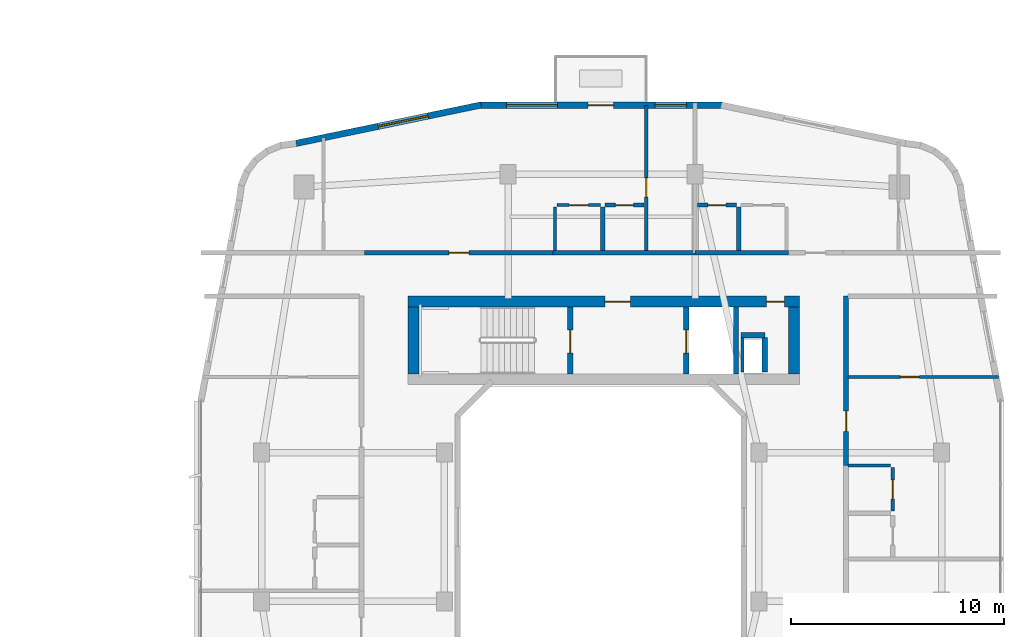
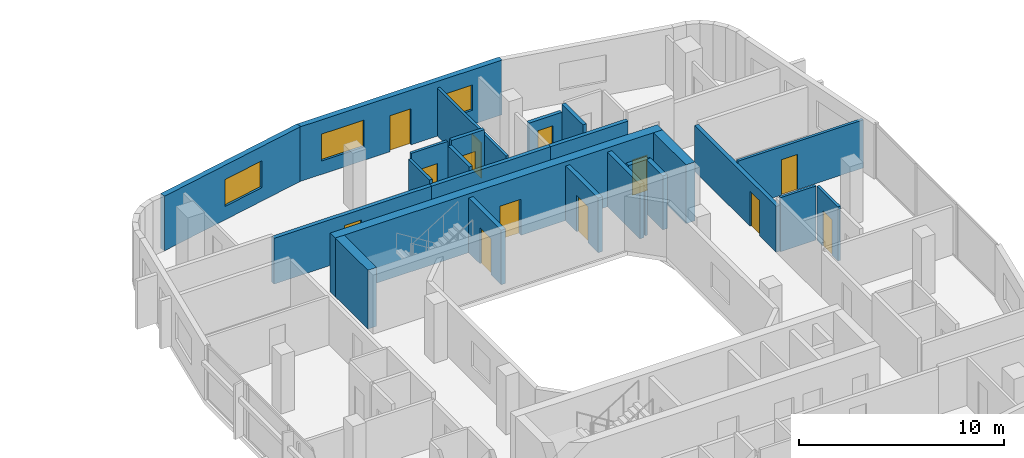
# One storey, part 15 of 22: 25 walls, 13 doors, 3 windows, 16 openings.
"""IFC4 building model written with IfcOpenShell, lengths in metres."""

from ifc_helpers import new_model, si_unit, derived_unit, direction, frame, frame_2d, origin, place, context, subcontext, project, spatial, rectangle, extrude, material, layer, layer_set, type_object, element, fill, save


model = new_model("IFC4")

# Units and contexts
model_context = context("Model", 3, precision=1e-05, world=origin(), true_north=direction((0.0, 1.0)))
body_context = subcontext(model_context, "Body", "Model", "MODEL_VIEW")
ifc_project = project(units=[si_unit("LENGTHUNIT", "METRE"), si_unit("AREAUNIT", "SQUARE_METRE"), si_unit("VOLUMEUNIT", "CUBIC_METRE"), si_unit("PLANEANGLEUNIT", "RADIAN"), si_unit("MASSUNIT", "GRAM", prefix="KILO"), derived_unit("THERMALTRANSMITTANCEUNIT", [(si_unit("POWERUNIT", "WATT"), 1), (si_unit("LENGTHUNIT", "METRE"), -2), (si_unit("THERMODYNAMICTEMPERATUREUNIT", "KELVIN"), -1)])], contexts=[model_context])

# Site, building, storey
site_placement = place(None, origin())
site = spatial("IfcSite", under=ifc_project, at=site_placement, CompositionType="ELEMENT")
building_placement = place(site_placement, origin())
building = spatial("IfcBuilding", under=site, at=building_placement, Name="Kivonza Crest Hotel", CompositionType="ELEMENT")
storey_placement = place(building_placement, frame((0.0, 0.0, 69.5)))
storey = spatial("IfcBuildingStorey", under=building, at=storey_placement, Name="L18", CompositionType="ELEMENT", Elevation=69.5)

# Wall
ifc_material_1 = material(Name="Autoclaved aerated concrete blockwork", Category="masonry")
ifc_layer_1 = layer(ifc_material_1, 0.219970703125)
ifc_layer_set_1 = layer_set([ifc_layer_1], Name="Autoclaved aerated concrete blockwork")
wall_type_1 = type_object("IfcWallType", Name="WL-ACOU-220", PredefinedType="SOLIDWALL", material=ifc_layer_set_1)
wall_1_placement = place(storey_placement, frame((74.719970703125, 37.89990234375, 0.0), z_axis=(0.0, 0.0, 1.0), x_axis=(1.0, 0.0, 0.0)))
element("IfcWall", 1, at=wall_1_placement, inside=storey, type_object=wall_type_1, Name="L18 interior partition WA-L18-A01-RCORR", PredefinedType="SOLIDWALL", context=body_context, shape_type="SweptSolid", body=[
    extrude(rectangle(XDim=6.679931640625, YDim=0.219970703125, at=frame_2d((3.33984375, 0.0))), origin(), (0.0, 0.0, 1.0), 2.72509765625),
])

# Wall, opening, door
wall_2_placement = place(storey_placement, frame((65.85009765625, 37.89990234375, 0.0), z_axis=(0.0, 0.0, 1.0), x_axis=(1.0, 0.0, 0.0)))
wall_2 = element("IfcWall", 2, at=wall_2_placement, inside=storey, type_object=wall_type_1, Name="L18 interior partition WA-L18-A01-MCORR", PredefinedType="SOLIDWALL", context=body_context, shape_type="SweptSolid", body=[
    extrude(rectangle(XDim=8.869873046875, YDim=0.219970703125, at=frame_2d((4.43505859375, 0.0))), origin(), (0.0, 0.0, 1.0), 2.72509765625),
])
opening_1_placement = place(wall_2_placement, frame((3.9599609375, 0.0, 0.0)))
opening_1 = element("IfcOpeningElement", 3, at=opening_1_placement, cuts=wall_2, Name="Opening DU-60", PredefinedType="OPENING", context=body_context, shape_type="SweptSolid", body=[
    extrude(rectangle(XDim=0.949951171875, YDim=2.10009765625, at=frame_2d((0.47509765625, 1.050048828125))), frame((0.0, 0.1201171875, 0.0), z_axis=(0.0, -1.0, 0.0), x_axis=(1.0, 0.0, 0.0)), (0.0, 0.0, 1.0), 0.239990234375),
])
ifc_material_2 = material(Name="Hardwood timber oak", Category="wood")
door_type_1 = type_object("IfcDoorType", Name="DR-UNIT-950", OperationType="NOTDEFINED", PredefinedType="DOOR", material=ifc_material_2)
door_1_placement = place(opening_1_placement, origin())
door_1 = element("IfcDoor", 4, at=door_1_placement, inside=storey, type_object=door_type_1, Name="L18 A01 apartment entrance fire door", OperationType="SINGLE_SWING_LEFT", OverallHeight=2.10009765625, OverallWidth=0.949951171875, PredefinedType="DOOR", context=body_context, shape_type="SweptSolid", body=[
    extrude(rectangle(XDim=0.949951171875, YDim=2.10009765625, at=frame_2d((0.47509765625, 1.050048828125))), frame((0.0, 0.02490234375, 0.0), z_axis=(0.0, -1.0, 0.0), x_axis=(1.0, 0.0, 0.0)), (0.0, 0.0, 1.0), 0.050048828125),
])
fill(opening_1, door_1)

# Wall
wall_3_placement = place(storey_placement, frame((81.39990234375, 37.89990234375, 0.0), z_axis=(0.0, 0.0, 1.0), x_axis=(1.0, 0.0, 0.0)))
element("IfcWall", 5, at=wall_3_placement, inside=storey, type_object=wall_type_1, Name="L18 interior partition WA-L18-A02-LCORR", PredefinedType="SOLIDWALL", context=body_context, shape_type="SweptSolid", body=[
    extrude(rectangle(XDim=4.380126953125, YDim=0.219970703125, at=frame_2d((2.18994140625, 0.0))), origin(), (0.0, 0.0, 1.0), 2.72509765625),
])

# Wall, opening, door
wall_4_placement = place(storey_placement, frame((88.5, 27.89990234375, 0.0), z_axis=(0.0, 0.0, 1.0), x_axis=(0.0, 1.0, 0.0)))
wall_4 = element("IfcWall", 6, at=wall_4_placement, inside=storey, type_object=wall_type_1, Name="L18 interior partition WA-L18-A08-MCORR", PredefinedType="SOLIDWALL", context=body_context, shape_type="SweptSolid", body=[
    extrude(rectangle(XDim=7.960205078125, YDim=0.219970703125, at=frame_2d((3.97998046875, 0.0))), origin(), (0.0, 0.0, 1.0), 2.72509765625),
])
opening_2_placement = place(wall_4_placement, frame((1.60498046875, 0.0, 0.0)))
opening_2 = element("IfcOpeningElement", 7, at=opening_2_placement, cuts=wall_4, Name="Opening DU-60", PredefinedType="OPENING", context=body_context, shape_type="SweptSolid", body=[
    extrude(rectangle(XDim=0.949951171875, YDim=2.10009765625, at=frame_2d((0.47509765625, 1.050048828125))), frame((0.0, 0.1201171875, 0.0), z_axis=(0.0, -1.0, 0.0), x_axis=(1.0, 0.0, 0.0)), (0.0, 0.0, 1.0), 0.239990234375),
])
door_2_placement = place(opening_2_placement, frame((0.949951171875, 0.0, 0.0), z_axis=(0.0, 0.0, 1.0), x_axis=(-1.0, 0.0, 0.0)))
door_2 = element("IfcDoor", 8, at=door_2_placement, inside=storey, type_object=door_type_1, Name="L18 A08 apartment entrance fire door", OperationType="SINGLE_SWING_RIGHT", OverallHeight=2.10009765625, OverallWidth=0.949951171875, PredefinedType="DOOR", context=body_context, shape_type="SweptSolid", body=[
    extrude(rectangle(XDim=0.949951171875, YDim=2.10009765625, at=frame_2d((0.47509765625, 1.050048828125))), frame((0.0, 0.02490234375, 0.0), z_axis=(0.0, -1.0, 0.0), x_axis=(1.0, 0.0, 0.0)), (0.0, 0.0, 1.0), 0.050048828125),
])
fill(opening_2, door_2)

# Wall, openings, doors
ifc_material_3 = material(Name="Concrete C60/75", Category="concrete")
ifc_layer_2 = layer(ifc_material_3, 0.5)
ifc_layer_set_2 = layer_set([ifc_layer_2], Name="Concrete C60/75")
wall_type_2 = type_object("IfcWallType", Name="WL-CORE-500", PredefinedType="SHEAR", material=ifc_layer_set_2)
wall_5_placement = place(storey_placement, frame((67.89990234375, 35.610107421875, 0.0), z_axis=(0.0, 0.0, 1.0), x_axis=(1.0, 0.0, 0.0)))
wall_5 = element("IfcWall", 9, at=wall_5_placement, inside=storey, type_object=wall_type_2, Name="Core wall T2-N North L18", PredefinedType="SHEAR", context=body_context, shape_type="SweptSolid", body=[
    extrude(rectangle(XDim=18.400146484375, YDim=0.5, at=frame_2d((9.2001953125, 0.0))), origin(), (0.0, 0.0, 1.0), 3.5),
])
opening_3_placement = place(wall_5_placement, frame((9.25, 0.0, 0.0)))
opening_3 = element("IfcOpeningElement", 10, at=opening_3_placement, cuts=wall_5, Name="Opening DF-60", PredefinedType="OPENING", context=body_context, shape_type="SweptSolid", body=[
    extrude(rectangle(XDim=1.199951171875, YDim=2.14990234375, at=frame_2d((0.60009765625, 1.074951171875))), frame((0.0, 0.260009765625, 0.0), z_axis=(0.0, -1.0, 0.0), x_axis=(1.0, 0.0, 0.0)), (0.0, 0.0, 1.0), 0.52001953125),
])
opening_4_placement = place(wall_5_placement, frame((16.85009765625, 0.0, 0.0)))
opening_4 = element("IfcOpeningElement", 11, at=opening_4_placement, cuts=wall_5, Name="Opening DF-60R", PredefinedType="OPENING", context=body_context, shape_type="SweptSolid", body=[
    extrude(rectangle(XDim=0.85009765625, YDim=2.10009765625, at=frame_2d((0.425048828125, 1.050048828125))), frame((0.0, 0.260009765625, 0.0), z_axis=(0.0, -1.0, 0.0), x_axis=(1.0, 0.0, 0.0)), (0.0, 0.0, 1.0), 0.52001953125),
])
door_type_2 = type_object("IfcDoorType", Name="DR-FD60-1200", OperationType="NOTDEFINED", PredefinedType="DOOR", material=ifc_material_2)
door_3_placement = place(opening_3_placement, origin())
door_3 = element("IfcDoor", 12, at=door_3_placement, inside=storey, type_object=door_type_2, Name="L18 T2-N firefighting lobby fire door", OperationType="SINGLE_SWING_RIGHT", OverallHeight=2.14990234375, OverallWidth=1.199951171875, PredefinedType="DOOR", context=body_context, shape_type="SweptSolid", body=[
    extrude(rectangle(XDim=1.199951171875, YDim=2.14990234375, at=frame_2d((0.60009765625, 1.074951171875))), frame((0.0, 0.02490234375, 0.0), z_axis=(0.0, -1.0, 0.0), x_axis=(1.0, 0.0, 0.0)), (0.0, 0.0, 1.0), 0.050048828125),
])
fill(opening_3, door_3)
door_type_3 = type_object("IfcDoorType", Name="DR-FD60-850", OperationType="NOTDEFINED", PredefinedType="DOOR", material=ifc_material_2)
door_4_placement = place(opening_4_placement, origin())
door_4 = element("IfcDoor", 13, at=door_4_placement, inside=storey, type_object=door_type_3, Name="L18 T2-N core room door", OperationType="SINGLE_SWING_RIGHT", OverallHeight=2.10009765625, OverallWidth=0.85009765625, PredefinedType="DOOR", context=body_context, shape_type="SweptSolid", body=[
    extrude(rectangle(XDim=0.85009765625, YDim=2.10009765625, at=frame_2d((0.425048828125, 1.050048828125))), frame((0.0, 0.02490234375, 0.0), z_axis=(0.0, -1.0, 0.0), x_axis=(1.0, 0.0, 0.0)), (0.0, 0.0, 1.0), 0.050048828125),
])
fill(opening_4, door_4)

# Walls
for number, where, z_axis, x_axis, name in (
    (14, (68.14990234375, 32.199951171875, 0.0), (0.0, 0.0, 1.0), (0.0, 1.0, 0.0), "Core wall T2-N West L18"),
    (15, (86.050048828125, 32.199951171875, 0.0), (0.0, 0.0, 1.0), (0.0, 1.0, 0.0), "Core wall T2-N East L18"),
):
    element("IfcWall", number, at=place(storey_placement, frame(where, z_axis=z_axis, x_axis=x_axis)), inside=storey, type_object=wall_type_2, Name=name, PredefinedType="SHEAR", context=body_context, shape_type="SweptSolid", body=[
        extrude(rectangle(XDim=3.16015625, YDim=0.5, at=frame_2d((1.580078125, 0.0))), origin(), (0.0, 0.0, 1.0), 3.5),
    ])

# Wall, openings, door, windows
ifc_material_4 = material(Name="Precast concrete C40/50", Category="concrete")
ifc_layer_3 = layer(ifc_material_4, 0.300048828125)
ifc_layer_set_3 = layer_set([ifc_layer_3], Name="Precast concrete C40/50")
wall_type_3 = type_object("IfcWallType", Name="WL-EXT-300", PredefinedType="STANDARD", material=ifc_layer_set_3)
wall_6_placement = place(storey_placement, frame((82.673095703125, 44.85009765625, 0.0), z_axis=(0.0, 0.0, 1.0), x_axis=(-1.0, 0.0, 0.0)))
wall_6 = element("IfcWall", 16, at=wall_6_placement, inside=storey, type_object=wall_type_3, Name="L18 T2 exterior insulated wall 26", PredefinedType="STANDARD", context=body_context, shape_type="SweptSolid", body=[
    extrude(rectangle(XDim=11.39111328125, YDim=0.300048828125, at=frame_2d((5.695556640625, 0.0))), origin(), (0.0, 0.0, 1.0), 3.25),
])
opening_5_placement = place(wall_6_placement, frame((5.113037109375, 0.0, 0.0)))
opening_5 = element("IfcOpeningElement", 17, at=opening_5_placement, cuts=wall_6, Name="Opening DT-120", PredefinedType="OPENING", context=body_context, shape_type="SweptSolid", body=[
    extrude(rectangle(XDim=1.199951171875, YDim=2.14990234375, at=frame_2d((0.60009765625, 1.074951171875))), frame((0.0, 0.16015625, 0.0), z_axis=(0.0, -1.0, 0.0), x_axis=(1.0, 0.0, 0.0)), (0.0, 0.0, 1.0), 0.320068359375),
])
opening_6_placement = place(wall_6_placement, frame((1.673095703125, 0.0, 0.85009765625)))
opening_6 = element("IfcOpeningElement", 18, at=opening_6_placement, cuts=wall_6, Name="Opening WN-02", PredefinedType="OPENING", context=body_context, shape_type="SweptSolid", body=[
    extrude(rectangle(XDim=1.5, YDim=1.5, at=frame_2d((0.75, 0.75))), frame((0.0, 0.16015625, 0.0), z_axis=(0.0, -1.0, 0.0), x_axis=(1.0, 0.0, 0.0)), (0.0, 0.0, 1.0), 0.320068359375),
])
opening_7_placement = place(wall_6_placement, frame((7.757080078125, 0.0, 0.800048828125)))
opening_7 = element("IfcOpeningElement", 19, at=opening_7_placement, cuts=wall_6, Name="Opening WN-05", PredefinedType="OPENING", context=body_context, shape_type="SweptSolid", body=[
    extrude(rectangle(XDim=2.39990234375, YDim=1.60009765625, at=frame_2d((1.199951171875, 0.800048828125))), frame((0.0, 0.16015625, 0.0), z_axis=(0.0, -1.0, 0.0), x_axis=(1.0, 0.0, 0.0)), (0.0, 0.0, 1.0), 0.320068359375),
])
ifc_material_5 = material(Name="Anodised bronze aluminium and laminated safety glass", Category="aluminium")
door_type_4 = type_object("IfcDoorType", Name="DR-TERR-1200", OperationType="NOTDEFINED", PredefinedType="DOOR", material=ifc_material_5)
door_5_placement = place(opening_5_placement, frame((1.199951171875, 0.0, 0.0), z_axis=(0.0, 0.0, 1.0), x_axis=(-1.0, 0.0, 0.0)))
door_5 = element("IfcDoor", 20, at=door_5_placement, inside=storey, type_object=door_type_4, Name="T2 L18 NE sky-garden bridge access door", OperationType="SINGLE_SWING_RIGHT", OverallHeight=2.14990234375, OverallWidth=1.199951171875, PredefinedType="DOOR", context=body_context, shape_type="SweptSolid", body=[
    extrude(rectangle(XDim=1.199951171875, YDim=2.14990234375, at=frame_2d((0.60009765625, 1.074951171875))), frame((0.0, 0.02490234375, 0.0), z_axis=(0.0, -1.0, 0.0), x_axis=(1.0, 0.0, 0.0)), (0.0, 0.0, 1.0), 0.050048828125),
])
fill(opening_5, door_5)
ifc_material_6 = material(Name="Thermally broken bronze aluminium and low-E double glazing", Category="aluminium")
window_type_1 = type_object("IfcWindowType", Name="WN-150x150", PartitioningType="DOUBLE_PANEL_VERTICAL", PredefinedType="WINDOW", material=ifc_material_6)
window_1_placement = place(opening_6_placement, origin())
window_1 = element("IfcWindow", 21, at=window_1_placement, inside=storey, type_object=window_type_1, Name="L18 T2 facade window 26 bay 1", OverallHeight=1.5, OverallWidth=1.5, PartitioningType="SINGLE_PANEL", PredefinedType="WINDOW", context=body_context, shape_type="SweptSolid", body=[
    extrude(rectangle(XDim=1.5, YDim=1.5, at=frame_2d((0.75, 0.75))), frame((0.0, 0.030029296875, 0.0), z_axis=(0.0, -1.0, 0.0), x_axis=(1.0, 0.0, 0.0)), (0.0, 0.0, 1.0), 0.06005859375),
])
fill(opening_6, window_1)
window_type_2 = type_object("IfcWindowType", Name="WN-240x160", PartitioningType="TRIPLE_PANEL_VERTICAL", PredefinedType="WINDOW", material=ifc_material_6)
window_2_placement = place(opening_7_placement, origin())
window_2 = element("IfcWindow", 22, at=window_2_placement, inside=storey, type_object=window_type_2, Name="L18 T2 facade window 26 bay 2", OverallHeight=1.60009765625, OverallWidth=2.39990234375, PartitioningType="SINGLE_PANEL", PredefinedType="WINDOW", context=body_context, shape_type="SweptSolid", body=[
    extrude(rectangle(XDim=2.39990234375, YDim=1.60009765625, at=frame_2d((1.199951171875, 0.800048828125))), frame((0.0, 0.030029296875, 0.0), z_axis=(0.0, -1.0, 0.0), x_axis=(1.0, 0.0, 0.0)), (0.0, 0.0, 1.0), 0.06005859375),
])
fill(opening_7, window_2)

# Wall, opening, window
wall_7_placement = place(storey_placement, frame((71.325927734375, 44.85791015625, 0.0), z_axis=(0.0, 0.0, 1.0), x_axis=(-0.979124350489, -0.203262161453, 0.0)))
wall_7 = element("IfcWall", 23, at=wall_7_placement, inside=storey, type_object=wall_type_3, Name="L18 T2 exterior insulated wall 27", PredefinedType="STANDARD", context=body_context, shape_type="SweptSolid", body=[
    extrude(rectangle(XDim=8.889404296875, YDim=0.300048828125, at=frame_2d((4.44482421875, 0.0))), origin(), (0.0, 0.0, 1.0), 3.25),
])
opening_8_placement = place(wall_7_placement, frame((2.548095703125, 0.0, 0.800048828125)))
opening_8 = element("IfcOpeningElement", 24, at=opening_8_placement, cuts=wall_7, Name="Opening WN-05", PredefinedType="OPENING", context=body_context, shape_type="SweptSolid", body=[
    extrude(rectangle(XDim=2.39990234375, YDim=1.60009765625, at=frame_2d((1.199951171875, 0.800048828125))), frame((0.0, 0.16015625, 0.0), z_axis=(0.0, -1.0, 0.0), x_axis=(1.0, 0.0, 0.0)), (0.0, 0.0, 1.0), 0.320068359375),
])
window_3_placement = place(opening_8_placement, origin())
window_3 = element("IfcWindow", 25, at=window_3_placement, inside=storey, type_object=window_type_2, Name="L18 T2 facade window 27", OverallHeight=1.60009765625, OverallWidth=2.39990234375, PartitioningType="SINGLE_PANEL", PredefinedType="WINDOW", context=body_context, shape_type="SweptSolid", body=[
    extrude(rectangle(XDim=2.39990234375, YDim=1.60009765625, at=frame_2d((1.199951171875, 0.800048828125))), frame((0.0, 0.030029296875, 0.0), z_axis=(0.0, -1.0, 0.0), x_axis=(1.0, 0.0, 0.0)), (0.0, 0.0, 1.0), 0.06005859375),
])
fill(opening_8, window_3)

# Walls
ifc_material_7 = material(Name="Concrete blockwork fire-compartment wall", Category="masonry")
ifc_layer_4 = layer(ifc_material_7, 0.25)
ifc_layer_set_4 = layer_set([ifc_layer_4], Name="Concrete blockwork fire-compartment wall")
wall_type_4 = type_object("IfcWallType", Name="WL-FIRE-250", PredefinedType="SOLIDWALL", material=ifc_layer_set_4)
wall_8_placement = place(storey_placement, frame((84.679931640625, 32.300048828125, 0.0), z_axis=(0.0, 0.0, 1.0), x_axis=(0.0, 1.0, 0.0)))
element("IfcWall", 26, at=wall_8_placement, inside=storey, type_object=wall_type_4, Name="L18 interior partition WA-L18-T2-N-MEPR-E", PredefinedType="SOLIDWALL", context=body_context, shape_type="SweptSolid", body=[
    extrude(rectangle(XDim=1.619873046875, YDim=0.25, at=frame_2d((0.81005859375, 0.0))), origin(), (0.0, 0.0, 1.0), 3.219970703125),
])
wall_9_placement = place(storey_placement, frame((83.550048828125, 34.02001953125, 0.0), z_axis=(0.0, 0.0, 1.0), x_axis=(1.0, 0.0, 0.0)))
element("IfcWall", 27, at=wall_9_placement, inside=storey, type_object=wall_type_4, Name="L18 interior partition WA-L18-T2-N-MEPR-H", PredefinedType="SOLIDWALL", context=body_context, shape_type="SweptSolid", body=[
    extrude(rectangle(XDim=1.1298828125, YDim=0.25, at=frame_2d((0.56494140625, 0.0))), origin(), (0.0, 0.0, 1.0), 3.219970703125),
])
ifc_material_8 = material(Name="Twin-stud acoustic gypsum board partition", Category="gypsum")
ifc_layer_5 = layer(ifc_material_8, 0.14990234375)
ifc_layer_set_5 = layer_set([ifc_layer_5], Name="Twin-stud acoustic gypsum board partition")
wall_type_5 = type_object("IfcWallType", Name="WL-PART-150", PredefinedType="PARTITIONING", material=ifc_layer_set_5)
wall_10_placement = place(storey_placement, frame((83.6298828125, 32.300048828125, 0.0), z_axis=(0.0, 0.0, 1.0), x_axis=(0.0, 1.0, 0.0)))
element("IfcWall", 28, at=wall_10_placement, inside=storey, type_object=wall_type_5, Name="L18 interior partition WA-L18-T2-N-MEPR-W", PredefinedType="PARTITIONING", context=body_context, shape_type="SweptSolid", body=[
    extrude(rectangle(XDim=1.619873046875, YDim=0.14990234375, at=frame_2d((0.81005859375, 0.0))), origin(), (0.0, 0.0, 1.0), 2.72509765625),
])

# Wall, opening, door
wall_11_placement = place(storey_placement, frame((79.10009765625, 38.0, 0.0), z_axis=(0.0, 0.0, 1.0), x_axis=(0.0, 1.0, 0.0)))
wall_11 = element("IfcWall", 29, at=wall_11_placement, inside=storey, type_object=wall_type_5, Name="L18 interior partition WP-L18-A01-BDW2", PredefinedType="PARTITIONING", context=body_context, shape_type="SweptSolid", body=[
    extrude(rectangle(XDim=6.840087890625, YDim=0.14990234375, at=frame_2d((3.419921875, 0.0))), origin(), (0.0, 0.0, 1.0), 2.864990234375),
])
opening_9_placement = place(wall_11_placement, frame((2.530029296875, 0.0, 0.0)))
opening_9 = element("IfcOpeningElement", 30, at=opening_9_placement, cuts=wall_11, Name="Opening DI-90", PredefinedType="OPENING", context=body_context, shape_type="SweptSolid", body=[
    extrude(rectangle(XDim=0.89990234375, YDim=2.10009765625, at=frame_2d((0.449951171875, 1.050048828125))), frame((0.0, 0.0849609375, 0.0), z_axis=(0.0, -1.0, 0.0), x_axis=(1.0, 0.0, 0.0)), (0.0, 0.0, 1.0), 0.169921875),
])
door_type_5 = type_object("IfcDoorType", Name="DR-INT-900", OperationType="NOTDEFINED", PredefinedType="DOOR", material=ifc_material_2)
door_6_placement = place(opening_9_placement, origin())
door_6 = element("IfcDoor", 31, at=door_6_placement, inside=storey, type_object=door_type_5, Name="L18 A01 bedroom 2 door", OperationType="SINGLE_SWING_LEFT", OverallHeight=2.10009765625, OverallWidth=0.89990234375, PredefinedType="DOOR", context=body_context, shape_type="SweptSolid", body=[
    extrude(rectangle(XDim=0.89990234375, YDim=2.10009765625, at=frame_2d((0.449951171875, 1.050048828125))), frame((0.0, 0.02490234375, 0.0), z_axis=(0.0, -1.0, 0.0), x_axis=(1.0, 0.0, 0.0)), (0.0, 0.0, 1.0), 0.050048828125),
])
fill(opening_9, door_6)

# Wall
wall_12_placement = place(storey_placement, frame((74.800048828125, 38.0, 0.0), z_axis=(0.0, 0.0, 1.0), x_axis=(0.0, 1.0, 0.0)))
element("IfcWall", 32, at=wall_12_placement, inside=storey, type_object=wall_type_5, Name="L18 interior partition WP-L18-A01-KF", PredefinedType="PARTITIONING", context=body_context, shape_type="SweptSolid", body=[
    extrude(rectangle(XDim=2.050048828125, YDim=0.14990234375, at=frame_2d((1.02490234375, 0.0))), origin(), (0.0, 0.0, 1.0), 2.955078125),
])

# Wall, opening, door
wall_13_placement = place(storey_placement, frame((74.89990234375, 40.14990234375, 0.0), z_axis=(0.0, 0.0, 1.0), x_axis=(1.0, 0.0, 0.0)))
wall_13 = element("IfcWall", 33, at=wall_13_placement, inside=storey, type_object=wall_type_5, Name="L18 interior partition WP-L18-A01-KSVC", PredefinedType="PARTITIONING", context=body_context, shape_type="SweptSolid", body=[
    extrude(rectangle(XDim=2.050048828125, YDim=0.14990234375, at=frame_2d((1.02490234375, 0.0))), origin(), (0.0, 0.0, 1.0), 3.219970703125),
])
opening_10_placement = place(wall_13_placement, frame((0.574951171875, 0.0, 0.0)))
opening_10 = element("IfcOpeningElement", 34, at=opening_10_placement, cuts=wall_13, Name="Opening DI-90", PredefinedType="OPENING", context=body_context, shape_type="SweptSolid", body=[
    extrude(rectangle(XDim=0.89990234375, YDim=2.10009765625, at=frame_2d((0.449951171875, 1.050048828125))), frame((0.0, 0.0849609375, 0.0), z_axis=(0.0, -1.0, 0.0), x_axis=(1.0, 0.0, 0.0)), (0.0, 0.0, 1.0), 0.169921875),
])
door_7_placement = place(opening_10_placement, origin())
door_7 = element("IfcDoor", 35, at=door_7_placement, inside=storey, type_object=door_type_5, Name="L18 A01 apartment kitchen door", OperationType="SINGLE_SWING_LEFT", OverallHeight=2.10009765625, OverallWidth=0.89990234375, PredefinedType="DOOR", context=body_context, shape_type="SweptSolid", body=[
    extrude(rectangle(XDim=0.89990234375, YDim=2.10009765625, at=frame_2d((0.449951171875, 1.050048828125))), frame((0.0, 0.02490234375, 0.0), z_axis=(0.0, -1.0, 0.0), x_axis=(1.0, 0.0, 0.0)), (0.0, 0.0, 1.0), 0.050048828125),
])
fill(opening_10, door_7)

wall_14_placement = place(storey_placement, frame((88.60009765625, 32.06005859375, 0.0), z_axis=(0.0, 0.0, 1.0), x_axis=(1.0, 0.0, 0.0)))
wall_14 = element("IfcWall", 36, at=wall_14_placement, inside=storey, type_object=wall_type_5, Name="L18 interior partition WP-L18-A08-BD1", PredefinedType="PARTITIONING", context=body_context, shape_type="SweptSolid", body=[
    extrude(rectangle(XDim=7.059814453125, YDim=0.14990234375, at=frame_2d((3.52978515625, 0.0))), origin(), (0.0, 0.0, 1.0), 2.864990234375),
])
opening_11_placement = place(wall_14_placement, frame((2.449951171875, 0.0, 0.0)))
opening_11 = element("IfcOpeningElement", 37, at=opening_11_placement, cuts=wall_14, Name="Opening DI-90", PredefinedType="OPENING", context=body_context, shape_type="SweptSolid", body=[
    extrude(rectangle(XDim=0.89990234375, YDim=2.10009765625, at=frame_2d((0.449951171875, 1.050048828125))), frame((0.0, 0.0849609375, 0.0), z_axis=(0.0, -1.0, 0.0), x_axis=(1.0, 0.0, 0.0)), (0.0, 0.0, 1.0), 0.169921875),
])
door_8_placement = place(opening_11_placement, origin())
door_8 = element("IfcDoor", 38, at=door_8_placement, inside=storey, type_object=door_type_5, Name="L18 A08 bedroom door", OperationType="SINGLE_SWING_LEFT", OverallHeight=2.10009765625, OverallWidth=0.89990234375, PredefinedType="DOOR", context=body_context, shape_type="SweptSolid", body=[
    extrude(rectangle(XDim=0.89990234375, YDim=2.10009765625, at=frame_2d((0.449951171875, 1.050048828125))), frame((0.0, 0.02490234375, 0.0), z_axis=(0.0, -1.0, 0.0), x_axis=(1.0, 0.0, 0.0)), (0.0, 0.0, 1.0), 0.050048828125),
])
fill(opening_11, door_8)

# Wall
wall_15_placement = place(storey_placement, frame((88.60009765625, 27.89990234375, 0.0), z_axis=(0.0, 0.0, 1.0), x_axis=(1.0, 0.0, 0.0)))
element("IfcWall", 39, at=wall_15_placement, inside=storey, type_object=wall_type_5, Name="L18 interior partition WP-L18-A08-KF", PredefinedType="PARTITIONING", context=body_context, shape_type="SweptSolid", body=[
    extrude(rectangle(XDim=2.0, YDim=0.14990234375, at=frame_2d((1.0, 0.0))), origin(), (0.0, 0.0, 1.0), 3.219970703125),
])

# Wall, opening, door
wall_16_placement = place(storey_placement, frame((90.699951171875, 25.75, 0.0), z_axis=(0.0, 0.0, 1.0), x_axis=(0.0, 1.0, 0.0)))
wall_16 = element("IfcWall", 40, at=wall_16_placement, inside=storey, type_object=wall_type_5, Name="L18 interior partition WP-L18-A08-KSVC", PredefinedType="PARTITIONING", context=body_context, shape_type="SweptSolid", body=[
    extrude(rectangle(XDim=2.050048828125, YDim=0.14990234375, at=frame_2d((1.02490234375, 0.0))), origin(), (0.0, 0.0, 1.0), 3.219970703125),
])
opening_12_placement = place(wall_16_placement, frame((0.574951171875, 0.0, 0.0)))
opening_12 = element("IfcOpeningElement", 41, at=opening_12_placement, cuts=wall_16, Name="Opening DI-90", PredefinedType="OPENING", context=body_context, shape_type="SweptSolid", body=[
    extrude(rectangle(XDim=0.89990234375, YDim=2.10009765625, at=frame_2d((0.449951171875, 1.050048828125))), frame((0.0, 0.0849609375, 0.0), z_axis=(0.0, -1.0, 0.0), x_axis=(1.0, 0.0, 0.0)), (0.0, 0.0, 1.0), 0.169921875),
])
door_9_placement = place(opening_12_placement, frame((0.89990234375, 0.0, 0.0), z_axis=(0.0, 0.0, 1.0), x_axis=(-1.0, 0.0, 0.0)))
door_9 = element("IfcDoor", 42, at=door_9_placement, inside=storey, type_object=door_type_5, Name="L18 A08 apartment kitchen door", OperationType="SINGLE_SWING_RIGHT", OverallHeight=2.10009765625, OverallWidth=0.89990234375, PredefinedType="DOOR", context=body_context, shape_type="SweptSolid", body=[
    extrude(rectangle(XDim=0.89990234375, YDim=2.10009765625, at=frame_2d((0.449951171875, 1.050048828125))), frame((0.0, 0.02490234375, 0.0), z_axis=(0.0, -1.0, 0.0), x_axis=(1.0, 0.0, 0.0)), (0.0, 0.0, 1.0), 0.050048828125),
])
fill(opening_12, door_9)

# Wall
ifc_material_9 = material(Name="Moisture-resistant plumbing chase partition wall", Category="gypsum")
ifc_layer_6 = layer(ifc_material_9, 0.199951171875)
ifc_layer_set_6 = layer_set([ifc_layer_6], Name="Moisture-resistant plumbing chase partition wall")
wall_type_6 = type_object("IfcWallType", Name="WL-PLUMB-200", PredefinedType="PLUMBINGWALL", material=ifc_layer_set_6)
wall_17_placement = place(storey_placement, frame((77.050048828125, 38.0, 0.0), z_axis=(0.0, 0.0, 1.0), x_axis=(0.0, 1.0, 0.0)))
element("IfcWall", 43, at=wall_17_placement, inside=storey, type_object=wall_type_6, Name="L18 interior partition WW-L18-A01-BK", PredefinedType="PLUMBINGWALL", context=body_context, shape_type="SweptSolid", body=[
    extrude(rectangle(XDim=2.050048828125, YDim=0.199951171875, at=frame_2d((1.02490234375, 0.0))), origin(), (0.0, 0.0, 1.0), 2.955078125),
])

# Wall, opening, door
wall_18_placement = place(storey_placement, frame((77.14990234375, 40.14990234375, 0.0), z_axis=(0.0, 0.0, 1.0), x_axis=(1.0, 0.0, 0.0)))
wall_18 = element("IfcWall", 44, at=wall_18_placement, inside=storey, type_object=wall_type_6, Name="L18 interior partition WW-L18-A01-BSVC", PredefinedType="PLUMBINGWALL", context=body_context, shape_type="SweptSolid", body=[
    extrude(rectangle(XDim=1.85009765625, YDim=0.199951171875, at=frame_2d((0.925048828125, 0.0))), origin(), (0.0, 0.0, 1.0), 3.219970703125),
])
opening_13_placement = place(wall_18_placement, frame((0.5, 0.0, 0.0)))
opening_13 = element("IfcOpeningElement", 45, at=opening_13_placement, cuts=wall_18, Name="Opening DI-85", PredefinedType="OPENING", context=body_context, shape_type="SweptSolid", body=[
    extrude(rectangle(XDim=0.85009765625, YDim=2.10009765625, at=frame_2d((0.425048828125, 1.050048828125))), frame((0.0, 0.10986328125, 0.0), z_axis=(0.0, -1.0, 0.0), x_axis=(1.0, 0.0, 0.0)), (0.0, 0.0, 1.0), 0.219970703125),
])
door_type_6 = type_object("IfcDoorType", Name="DR-INT-850", OperationType="NOTDEFINED", PredefinedType="DOOR", material=ifc_material_2)
door_10_placement = place(opening_13_placement, origin())
door_10 = element("IfcDoor", 46, at=door_10_placement, inside=storey, type_object=door_type_6, Name="L18 A01 apartment bathroom door", OperationType="SINGLE_SWING_RIGHT", OverallHeight=2.10009765625, OverallWidth=0.85009765625, PredefinedType="DOOR", context=body_context, shape_type="SweptSolid", body=[
    extrude(rectangle(XDim=0.85009765625, YDim=2.10009765625, at=frame_2d((0.425048828125, 1.050048828125))), frame((0.0, 0.02490234375, 0.0), z_axis=(0.0, -1.0, 0.0), x_axis=(1.0, 0.0, 0.0)), (0.0, 0.0, 1.0), 0.050048828125),
])
fill(opening_13, door_10)

# Wall
wall_19_placement = place(storey_placement, frame((83.449951171875, 38.0, 0.0), z_axis=(0.0, 0.0, 1.0), x_axis=(0.0, 1.0, 0.0)))
element("IfcWall", 47, at=wall_19_placement, inside=storey, type_object=wall_type_6, Name="L18 interior partition WW-L18-A02-BK", PredefinedType="PLUMBINGWALL", context=body_context, shape_type="SweptSolid", body=[
    extrude(rectangle(XDim=2.050048828125, YDim=0.199951171875, at=frame_2d((1.02490234375, 0.0))), origin(), (0.0, 0.0, 1.0), 3.219970703125),
])

# Wall, opening, door
wall_20_placement = place(storey_placement, frame((81.5, 40.14990234375, 0.0), z_axis=(0.0, 0.0, 1.0), x_axis=(1.0, 0.0, 0.0)))
wall_20 = element("IfcWall", 48, at=wall_20_placement, inside=storey, type_object=wall_type_6, Name="L18 interior partition WW-L18-A02-BSVC", PredefinedType="PLUMBINGWALL", context=body_context, shape_type="SweptSolid", body=[
    extrude(rectangle(XDim=1.85009765625, YDim=0.199951171875, at=frame_2d((0.925048828125, 0.0))), origin(), (0.0, 0.0, 1.0), 2.72509765625),
])
opening_14_placement = place(wall_20_placement, frame((0.5, 0.0, 0.0)))
opening_14 = element("IfcOpeningElement", 49, at=opening_14_placement, cuts=wall_20, Name="Opening DI-85", PredefinedType="OPENING", context=body_context, shape_type="SweptSolid", body=[
    extrude(rectangle(XDim=0.85009765625, YDim=2.10009765625, at=frame_2d((0.425048828125, 1.050048828125))), frame((0.0, 0.10986328125, 0.0), z_axis=(0.0, -1.0, 0.0), x_axis=(1.0, 0.0, 0.0)), (0.0, 0.0, 1.0), 0.219970703125),
])
door_11_placement = place(opening_14_placement, origin())
door_11 = element("IfcDoor", 50, at=door_11_placement, inside=storey, type_object=door_type_6, Name="L18 A02 apartment bathroom door", OperationType="SINGLE_SWING_LEFT", OverallHeight=2.10009765625, OverallWidth=0.85009765625, PredefinedType="DOOR", context=body_context, shape_type="SweptSolid", body=[
    extrude(rectangle(XDim=0.85009765625, YDim=2.10009765625, at=frame_2d((0.425048828125, 1.050048828125))), frame((0.0, 0.02490234375, 0.0), z_axis=(0.0, -1.0, 0.0), x_axis=(1.0, 0.0, 0.0)), (0.0, 0.0, 1.0), 0.050048828125),
])
fill(opening_14, door_11)

ifc_material_10 = material(Name="Concrete C50/60", Category="concrete")
ifc_layer_7 = layer(ifc_material_10, 0.25)
ifc_layer_set_7 = layer_set([ifc_layer_7], Name="Concrete C50/60")
wall_type_7 = type_object("IfcWallType", Name="WL-SHAFT-250", PredefinedType="STANDARD", material=ifc_layer_set_7)
wall_21_placement = place(storey_placement, frame((75.52490234375, 32.199951171875, 0.0), z_axis=(0.0, 0.0, 1.0), x_axis=(0.0, 1.0, 0.0)))
wall_21 = element("IfcWall", 51, at=wall_21_placement, inside=storey, type_object=wall_type_7, Name="Core shaft wall T2-N STAIR L18", PredefinedType="STANDARD", context=body_context, shape_type="SweptSolid", body=[
    extrude(rectangle(XDim=3.16015625, YDim=0.25, at=frame_2d((1.580078125, 0.0))), origin(), (0.0, 0.0, 1.0), 3.25),
])
opening_15_placement = place(wall_21_placement, frame((0.97998046875, 0.0, 0.0)))
opening_15 = element("IfcOpeningElement", 52, at=opening_15_placement, cuts=wall_21, Name="Opening DF-120", PredefinedType="OPENING", context=body_context, shape_type="SweptSolid", body=[
    extrude(rectangle(XDim=1.10009765625, YDim=2.14990234375, at=frame_2d((0.550048828125, 1.074951171875))), frame((0.0, 0.135009765625, 0.0), z_axis=(0.0, -1.0, 0.0), x_axis=(1.0, 0.0, 0.0)), (0.0, 0.0, 1.0), 0.27001953125),
])
ifc_material_11 = material(Name="Galvanised steel", Category="steel")
door_type_7 = type_object("IfcDoorType", Name="DR-FD120-1100", OperationType="NOTDEFINED", PredefinedType="DOOR", material=ifc_material_11)
door_12_placement = place(opening_15_placement, frame((1.10009765625, 0.0, 0.0), z_axis=(0.0, 0.0, 1.0), x_axis=(-1.0, 0.0, 0.0)))
door_12 = element("IfcDoor", 53, at=door_12_placement, inside=storey, type_object=door_type_7, Name="L18 T2-N stair fire door", OperationType="SINGLE_SWING_LEFT", OverallHeight=2.14990234375, OverallWidth=1.10009765625, PredefinedType="DOOR", context=body_context, shape_type="SweptSolid", body=[
    extrude(rectangle(XDim=1.10009765625, YDim=2.14990234375, at=frame_2d((0.550048828125, 1.074951171875))), frame((0.0, 0.02490234375, 0.0), z_axis=(0.0, -1.0, 0.0), x_axis=(1.0, 0.0, 0.0)), (0.0, 0.0, 1.0), 0.050048828125),
])
fill(opening_15, door_12)

wall_22_placement = place(storey_placement, frame((80.97509765625, 32.199951171875, 0.0), z_axis=(0.0, 0.0, 1.0), x_axis=(0.0, 1.0, 0.0)))
wall_22 = element("IfcWall", 54, at=wall_22_placement, inside=storey, type_object=wall_type_7, Name="Core shaft wall T2-N FFL-W L18", PredefinedType="STANDARD", context=body_context, shape_type="SweptSolid", body=[
    extrude(rectangle(XDim=3.16015625, YDim=0.25, at=frame_2d((1.580078125, 0.0))), origin(), (0.0, 0.0, 1.0), 3.25),
])
opening_16_placement = place(wall_22_placement, frame((0.97998046875, 0.0, 0.0)))
opening_16 = element("IfcOpeningElement", 55, at=opening_16_placement, cuts=wall_22, Name="Opening LD-120", PredefinedType="OPENING", context=body_context, shape_type="SweptSolid", body=[
    extrude(rectangle(XDim=1.10009765625, YDim=2.14990234375, at=frame_2d((0.550048828125, 1.074951171875))), frame((0.0, 0.135009765625, 0.0), z_axis=(0.0, -1.0, 0.0), x_axis=(1.0, 0.0, 0.0)), (0.0, 0.0, 1.0), 0.27001953125),
])
ifc_material_12 = material(Name="Stainless steel", Category="steel")
door_type_8 = type_object("IfcDoorType", Name="DR-LD120-1100", OperationType="NOTDEFINED", PredefinedType="DOOR", material=ifc_material_12)
door_13_placement = place(opening_16_placement, origin())
door_13 = element("IfcDoor", 56, at=door_13_placement, inside=storey, type_object=door_type_8, Name="L18 FFL-T2 firefighting lift sliding landing door", OperationType="DOUBLE_DOOR_SLIDING", OverallHeight=2.14990234375, OverallWidth=1.10009765625, PredefinedType="DOOR", context=body_context, shape_type="SweptSolid", body=[
    extrude(rectangle(XDim=1.10009765625, YDim=2.14990234375, at=frame_2d((0.550048828125, 1.074951171875))), frame((0.0, 0.02490234375, 0.0), z_axis=(0.0, -1.0, 0.0), x_axis=(1.0, 0.0, 0.0)), (0.0, 0.0, 1.0), 0.050048828125),
])
fill(opening_16, door_13)

# Wall
wall_23_placement = place(storey_placement, frame((83.324951171875, 32.199951171875, 0.0), z_axis=(0.0, 0.0, 1.0), x_axis=(0.0, 1.0, 0.0)))
element("IfcWall", 57, at=wall_23_placement, inside=storey, type_object=wall_type_7, Name="Core shaft wall T2-N FFL-E L18", PredefinedType="STANDARD", context=body_context, shape_type="SweptSolid", body=[
    extrude(rectangle(XDim=3.16015625, YDim=0.25, at=frame_2d((1.580078125, 0.0))), origin(), (0.0, 0.0, 1.0), 3.25),
])

save(model, "model.ifc")
